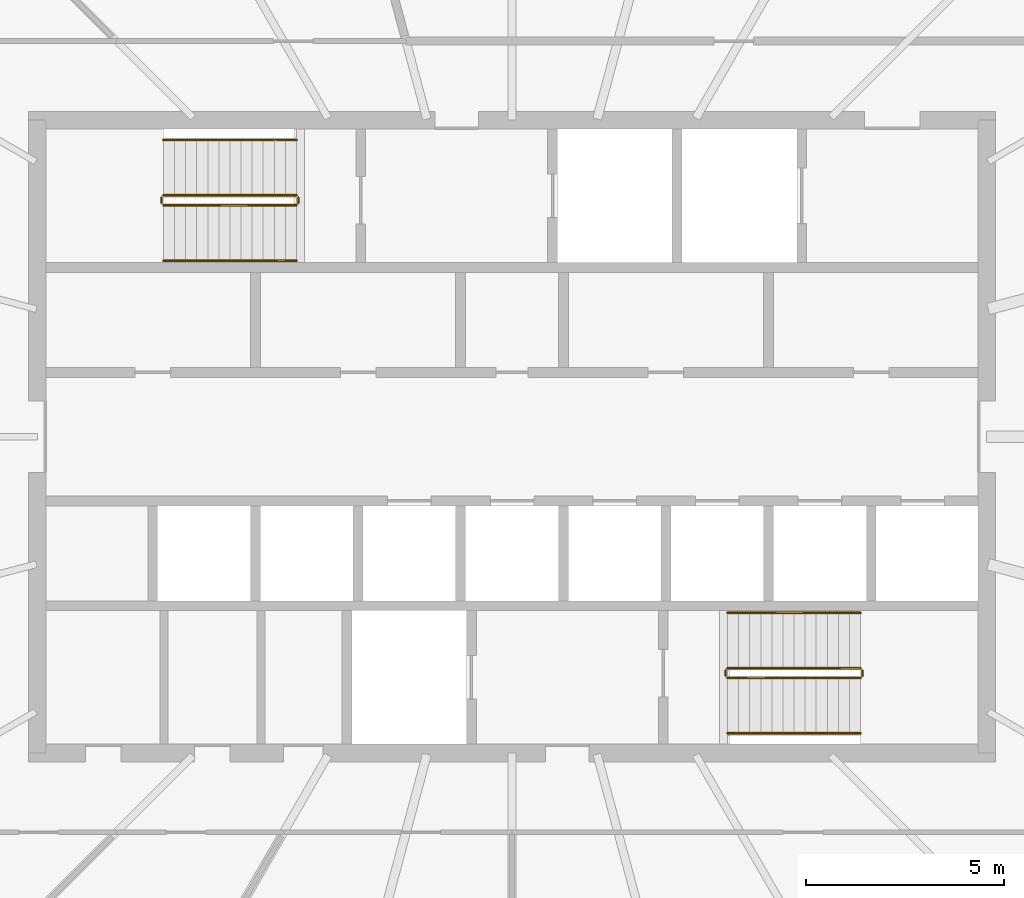
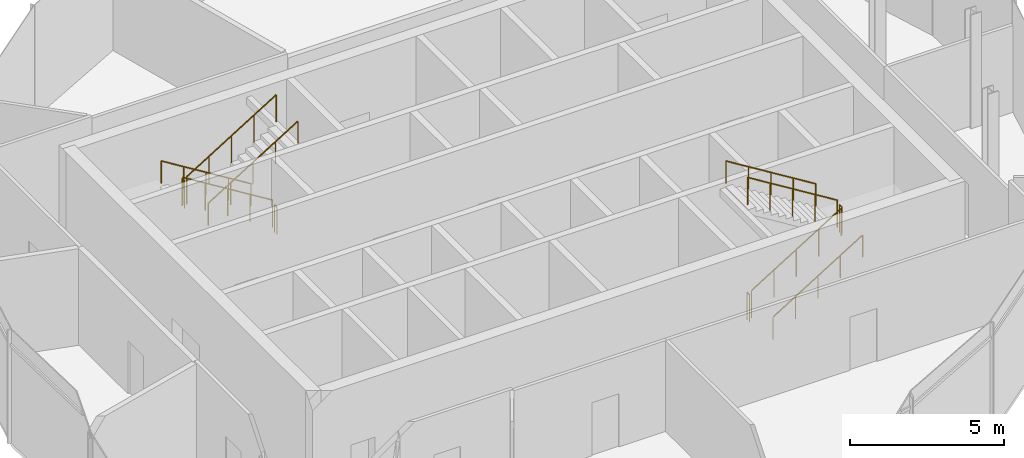
# One storey, part 31 of 31: 12 railings.
"""IFC4 building model written with IfcOpenShell, lengths in metres."""

from ifc_helpers import new_model, si_unit, direction, frame, origin, origin_2d, place, context, subcontext, project, spatial, circle, extrude, material, type_object, element, save


model = new_model("IFC4")

# Units and contexts
model_context = context("Model", 3, precision=1e-05, world=origin(), true_north=direction((0.0, 1.0)))
body_context = subcontext(model_context, "Body", "Model", "MODEL_VIEW")
ifc_project = project(units=[si_unit("LENGTHUNIT", "METRE"), si_unit("AREAUNIT", "SQUARE_METRE"), si_unit("VOLUMEUNIT", "CUBIC_METRE"), si_unit("PLANEANGLEUNIT", "RADIAN"), si_unit("MASSUNIT", "GRAM", prefix="KILO")], contexts=[model_context])

# Site, building, storey
site_placement = place(None, origin())
site = spatial("IfcSite", under=ifc_project, at=site_placement, CompositionType="ELEMENT")
building_placement = place(site_placement, origin())
building = spatial("IfcBuilding", under=site, at=building_placement, Name="Rimbun Link Towers", CompositionType="ELEMENT")
storey_placement = place(building_placement, frame((0.0, 0.0, 263.10009765625)))
storey = spatial("IfcBuildingStorey", under=building, at=storey_placement, Name="L64", CompositionType="ELEMENT", Elevation=263.10009765625)

# Railings
ifc_material_1 = material(Name="Stainless steel grade 316", Category="steel")
railing_type_1 = type_object("IfcRailingType", Name="Stair guard", PredefinedType="GUARDRAIL", material=ifc_material_1)
railing_1_placement = place(storey_placement, frame((26.300048828125, 6.10009765625, 0.173095703125)))
element("IfcRailing", 1, at=railing_1_placement, inside=storey, type_object=railing_type_1, Name="L64 ST3 stair guard 1", PredefinedType="GUARDRAIL", context=body_context, shape_type="SweptSolid", body=[
    extrude(circle(Radius=0.02392578125, at=origin_2d()), frame((0.0, 0.0, 1.076171875), z_axis=(-0.850623216509, 0.0, 0.525775754039), x_axis=(0.0, -1.0, 0.0)), (0.0, 0.0, 1.0), 3.9501953125),
    extrude(circle(Radius=0.02099609375, at=origin_2d()), origin(), (0.0, 0.0, 1.0), 1.052001953125),
    extrude(circle(Radius=0.02099609375, at=origin_2d()), frame((-0.840087890625, 0.0, 0.519287109375)), (0.0, 0.0, 1.0), 1.052001953125),
    extrude(circle(Radius=0.02099609375, at=origin_2d()), frame((-1.68017578125, 0.0, 1.03857421875)), (0.0, 0.0, 1.0), 1.052001953125),
    extrude(circle(Radius=0.02099609375, at=origin_2d()), frame((-2.52001953125, 0.0, 1.5576171875)), (0.0, 0.0, 1.0), 1.052001953125),
    extrude(circle(Radius=0.02099609375, at=origin_2d()), frame((-3.360107421875, 0.0, 2.076904296875)), (0.0, 0.0, 1.0), 1.052001953125),
])
railing_2_placement = place(storey_placement, frame((22.889892578125, 6.050048828125, 2.25)))
element("IfcRailing", 2, at=railing_2_placement, inside=storey, type_object=railing_type_1, Name="L64 ST3 stair guard 2", PredefinedType="GUARDRAIL", context=body_context, shape_type="SweptSolid", body=[
    extrude(circle(Radius=0.02392578125, at=origin_2d()), frame((0.0, 0.0, 1.076171875), z_axis=(0.0, -1.0, 0.0), x_axis=(1.0, 0.0, 0.0)), (0.0, 0.0, 1.0), 0.150146484375),
    extrude(circle(Radius=0.02099609375, at=origin_2d()), origin(), (0.0, 0.0, 1.0), 1.052001953125),
    extrude(circle(Radius=0.02099609375, at=origin_2d()), frame((0.0, -0.150146484375, 0.0)), (0.0, 0.0, 1.0), 1.052001953125),
])
railing_3_placement = place(storey_placement, frame((22.93994140625, 5.85009765625, 2.423095703125)))
element("IfcRailing", 3, at=railing_3_placement, inside=storey, type_object=railing_type_1, Name="L64 ST3 stair guard 3", PredefinedType="GUARDRAIL", context=body_context, shape_type="SweptSolid", body=[
    extrude(circle(Radius=0.02392578125, at=origin_2d()), frame((0.0, 0.0, 1.076171875), z_axis=(0.850623216509, 0.0, 0.525775754039), x_axis=(0.0, 1.0, 0.0)), (0.0, 0.0, 1.0), 3.9501953125),
    extrude(circle(Radius=0.02099609375, at=origin_2d()), origin(), (0.0, 0.0, 1.0), 1.052001953125),
    extrude(circle(Radius=0.02099609375, at=origin_2d()), frame((0.840087890625, 0.0, 0.519287109375)), (0.0, 0.0, 1.0), 1.052001953125),
    extrude(circle(Radius=0.02099609375, at=origin_2d()), frame((1.68017578125, 0.0, 1.03857421875)), (0.0, 0.0, 1.0), 1.052001953125),
    extrude(circle(Radius=0.02099609375, at=origin_2d()), frame((2.52001953125, 0.0, 1.5576171875)), (0.0, 0.0, 1.0), 1.052001953125),
    extrude(circle(Radius=0.02099609375, at=origin_2d()), frame((3.360107421875, 0.0, 2.076904296875)), (0.0, 0.0, 1.0), 1.052001953125),
])
railing_4_placement = place(storey_placement, frame((26.35009765625, 6.050048828125, 0.0)))
element("IfcRailing", 4, at=railing_4_placement, inside=storey, type_object=railing_type_1, Name="L64 ST3 stair guard 4", PredefinedType="GUARDRAIL", context=body_context, shape_type="SweptSolid", body=[
    extrude(circle(Radius=0.02392578125, at=origin_2d()), frame((0.0, 0.0, 1.076171875), z_axis=(0.0, -1.0, 0.0), x_axis=(1.0, 0.0, 0.0)), (0.0, 0.0, 1.0), 0.150146484375),
    extrude(circle(Radius=0.02099609375, at=origin_2d()), origin(), (0.0, 0.0, 1.0), 1.052001953125),
    extrude(circle(Radius=0.02099609375, at=origin_2d()), frame((0.0, -0.150146484375, 0.0)), (0.0, 0.0, 1.0), 1.052001953125),
])
railing_5_placement = place(storey_placement, frame((37.199951171875, -6.10009765625, 0.173095703125)))
element("IfcRailing", 5, at=railing_5_placement, inside=storey, type_object=railing_type_1, Name="L64 ST4 stair guard 1", PredefinedType="GUARDRAIL", context=body_context, shape_type="SweptSolid", body=[
    extrude(circle(Radius=0.02392578125, at=origin_2d()), frame((0.0, 0.0, 1.076171875), z_axis=(0.850623216509, 0.0, 0.525775754039), x_axis=(0.0, 1.0, 0.0)), (0.0, 0.0, 1.0), 3.9501953125),
    extrude(circle(Radius=0.02099609375, at=origin_2d()), origin(), (0.0, 0.0, 1.0), 1.052001953125),
    extrude(circle(Radius=0.02099609375, at=origin_2d()), frame((0.840087890625, 0.0, 0.519287109375)), (0.0, 0.0, 1.0), 1.052001953125),
    extrude(circle(Radius=0.02099609375, at=origin_2d()), frame((1.68017578125, 0.0, 1.03857421875)), (0.0, 0.0, 1.0), 1.052001953125),
    extrude(circle(Radius=0.02099609375, at=origin_2d()), frame((2.52001953125, 0.0, 1.5576171875)), (0.0, 0.0, 1.0), 1.052001953125),
    extrude(circle(Radius=0.02099609375, at=origin_2d()), frame((3.360107421875, 0.0, 2.076904296875)), (0.0, 0.0, 1.0), 1.052001953125),
])
railing_6_placement = place(storey_placement, frame((40.610107421875, -6.050048828125, 2.25)))
element("IfcRailing", 6, at=railing_6_placement, inside=storey, type_object=railing_type_1, Name="L64 ST4 stair guard 2", PredefinedType="GUARDRAIL", context=body_context, shape_type="SweptSolid", body=[
    extrude(circle(Radius=0.02392578125, at=origin_2d()), frame((0.0, 0.0, 1.076171875), z_axis=(0.0, 1.0, 0.0), x_axis=(-1.0, 0.0, 0.0)), (0.0, 0.0, 1.0), 0.150146484375),
    extrude(circle(Radius=0.02099609375, at=origin_2d()), origin(), (0.0, 0.0, 1.0), 1.052001953125),
    extrude(circle(Radius=0.02099609375, at=origin_2d()), frame((0.0, 0.150146484375, 0.0)), (0.0, 0.0, 1.0), 1.052001953125),
])
railing_7_placement = place(storey_placement, frame((40.56005859375, -5.85009765625, 2.423095703125)))
element("IfcRailing", 7, at=railing_7_placement, inside=storey, type_object=railing_type_1, Name="L64 ST4 stair guard 3", PredefinedType="GUARDRAIL", context=body_context, shape_type="SweptSolid", body=[
    extrude(circle(Radius=0.02392578125, at=origin_2d()), frame((0.0, 0.0, 1.076171875), z_axis=(-0.850623216509, 0.0, 0.525775754039), x_axis=(0.0, -1.0, 0.0)), (0.0, 0.0, 1.0), 3.9501953125),
    extrude(circle(Radius=0.02099609375, at=origin_2d()), origin(), (0.0, 0.0, 1.0), 1.052001953125),
    extrude(circle(Radius=0.02099609375, at=origin_2d()), frame((-0.840087890625, 0.0, 0.519287109375)), (0.0, 0.0, 1.0), 1.052001953125),
    extrude(circle(Radius=0.02099609375, at=origin_2d()), frame((-1.68017578125, 0.0, 1.03857421875)), (0.0, 0.0, 1.0), 1.052001953125),
    extrude(circle(Radius=0.02099609375, at=origin_2d()), frame((-2.52001953125, 0.0, 1.5576171875)), (0.0, 0.0, 1.0), 1.052001953125),
    extrude(circle(Radius=0.02099609375, at=origin_2d()), frame((-3.360107421875, 0.0, 2.076904296875)), (0.0, 0.0, 1.0), 1.052001953125),
])
railing_8_placement = place(storey_placement, frame((37.14990234375, -6.050048828125, 0.0)))
element("IfcRailing", 8, at=railing_8_placement, inside=storey, type_object=railing_type_1, Name="L64 ST4 stair guard 4", PredefinedType="GUARDRAIL", context=body_context, shape_type="SweptSolid", body=[
    extrude(circle(Radius=0.02392578125, at=origin_2d()), frame((0.0, 0.0, 1.076171875), z_axis=(0.0, 1.0, 0.0), x_axis=(-1.0, 0.0, 0.0)), (0.0, 0.0, 1.0), 0.150146484375),
    extrude(circle(Radius=0.02099609375, at=origin_2d()), origin(), (0.0, 0.0, 1.0), 1.052001953125),
    extrude(circle(Radius=0.02099609375, at=origin_2d()), frame((0.0, 0.150146484375, 0.0)), (0.0, 0.0, 1.0), 1.052001953125),
])
ifc_material_2 = material(Name="Stainless steel grade 316", Category="steel")
railing_type_2 = type_object("IfcRailingType", Name="Stair handrail", PredefinedType="HANDRAIL", material=ifc_material_2)
railing_9_placement = place(storey_placement, frame((26.300048828125, 7.5, 0.173095703125)))
element("IfcRailing", 9, at=railing_9_placement, inside=storey, type_object=railing_type_2, Name="L64 ST3 stair handrail 1", PredefinedType="HANDRAIL", context=body_context, shape_type="SweptSolid", body=[
    extrude(circle(Radius=0.02392578125, at=origin_2d()), frame((0.0, 0.0, 0.8759765625), z_axis=(-0.850623216509, 0.0, 0.525775754039), x_axis=(0.0, -1.0, 0.0)), (0.0, 0.0, 1.0), 3.9501953125),
    extrude(circle(Radius=0.02099609375, at=origin_2d()), origin(), (0.0, 0.0, 1.0), 0.851806640625),
    extrude(circle(Radius=0.02099609375, at=origin_2d()), frame((-0.840087890625, 0.0, 0.519287109375)), (0.0, 0.0, 1.0), 0.851806640625),
    extrude(circle(Radius=0.02099609375, at=origin_2d()), frame((-1.68017578125, 0.0, 1.03857421875)), (0.0, 0.0, 1.0), 0.851806640625),
    extrude(circle(Radius=0.02099609375, at=origin_2d()), frame((-2.52001953125, 0.0, 1.5576171875)), (0.0, 0.0, 1.0), 0.851806640625),
    extrude(circle(Radius=0.02099609375, at=origin_2d()), frame((-3.360107421875, 0.0, 2.076904296875)), (0.0, 0.0, 1.0), 0.851806640625),
])
for number, where, name in (
    (10, (22.93994140625, 4.449951171875, 2.423095703125), "L64 ST3 stair handrail 2"),
    (11, (37.199951171875, -7.5, 0.173095703125), "L64 ST4 stair handrail 1"),
):
    element("IfcRailing", number, at=place(storey_placement, frame(where)), inside=storey, type_object=railing_type_2, Name=name, PredefinedType="HANDRAIL", context=body_context, shape_type="SweptSolid", body=[
        extrude(circle(Radius=0.02392578125, at=origin_2d()), frame((0.0, 0.0, 0.8759765625), z_axis=(0.850623216509, 0.0, 0.525775754039), x_axis=(0.0, 1.0, 0.0)), (0.0, 0.0, 1.0), 3.9501953125),
        extrude(circle(Radius=0.02099609375, at=origin_2d()), origin(), (0.0, 0.0, 1.0), 0.851806640625),
        extrude(circle(Radius=0.02099609375, at=origin_2d()), frame((0.840087890625, 0.0, 0.519287109375)), (0.0, 0.0, 1.0), 0.851806640625),
        extrude(circle(Radius=0.02099609375, at=origin_2d()), frame((1.68017578125, 0.0, 1.03857421875)), (0.0, 0.0, 1.0), 0.851806640625),
        extrude(circle(Radius=0.02099609375, at=origin_2d()), frame((2.52001953125, 0.0, 1.5576171875)), (0.0, 0.0, 1.0), 0.851806640625),
        extrude(circle(Radius=0.02099609375, at=origin_2d()), frame((3.360107421875, 0.0, 2.076904296875)), (0.0, 0.0, 1.0), 0.851806640625),
    ])
railing_10_placement = place(storey_placement, frame((40.56005859375, -4.449951171875, 2.423095703125)))
element("IfcRailing", 12, at=railing_10_placement, inside=storey, type_object=railing_type_2, Name="L64 ST4 stair handrail 2", PredefinedType="HANDRAIL", context=body_context, shape_type="SweptSolid", body=[
    extrude(circle(Radius=0.02392578125, at=origin_2d()), frame((0.0, 0.0, 0.8759765625), z_axis=(-0.850623216509, 0.0, 0.525775754039), x_axis=(0.0, -1.0, 0.0)), (0.0, 0.0, 1.0), 3.9501953125),
    extrude(circle(Radius=0.02099609375, at=origin_2d()), origin(), (0.0, 0.0, 1.0), 0.851806640625),
    extrude(circle(Radius=0.02099609375, at=origin_2d()), frame((-0.840087890625, 0.0, 0.519287109375)), (0.0, 0.0, 1.0), 0.851806640625),
    extrude(circle(Radius=0.02099609375, at=origin_2d()), frame((-1.68017578125, 0.0, 1.03857421875)), (0.0, 0.0, 1.0), 0.851806640625),
    extrude(circle(Radius=0.02099609375, at=origin_2d()), frame((-2.52001953125, 0.0, 1.5576171875)), (0.0, 0.0, 1.0), 0.851806640625),
    extrude(circle(Radius=0.02099609375, at=origin_2d()), frame((-3.360107421875, 0.0, 2.076904296875)), (0.0, 0.0, 1.0), 0.851806640625),
])

save(model, "model.ifc")
